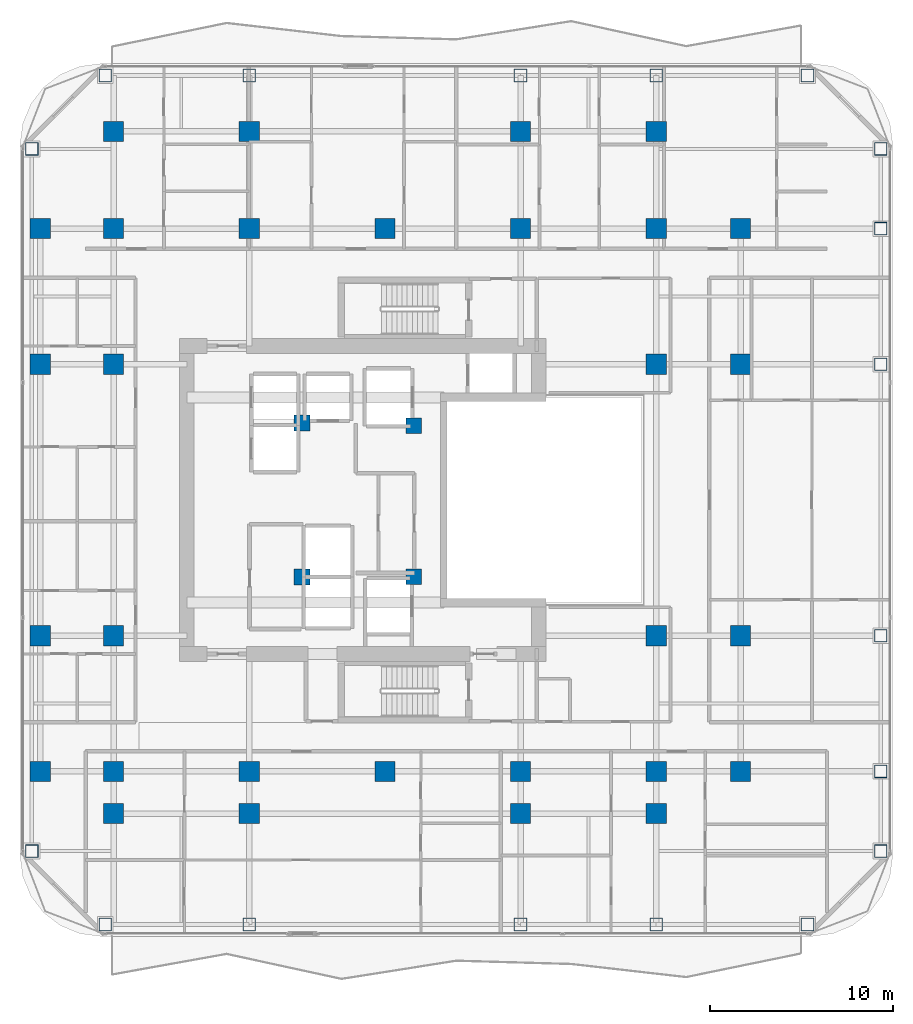
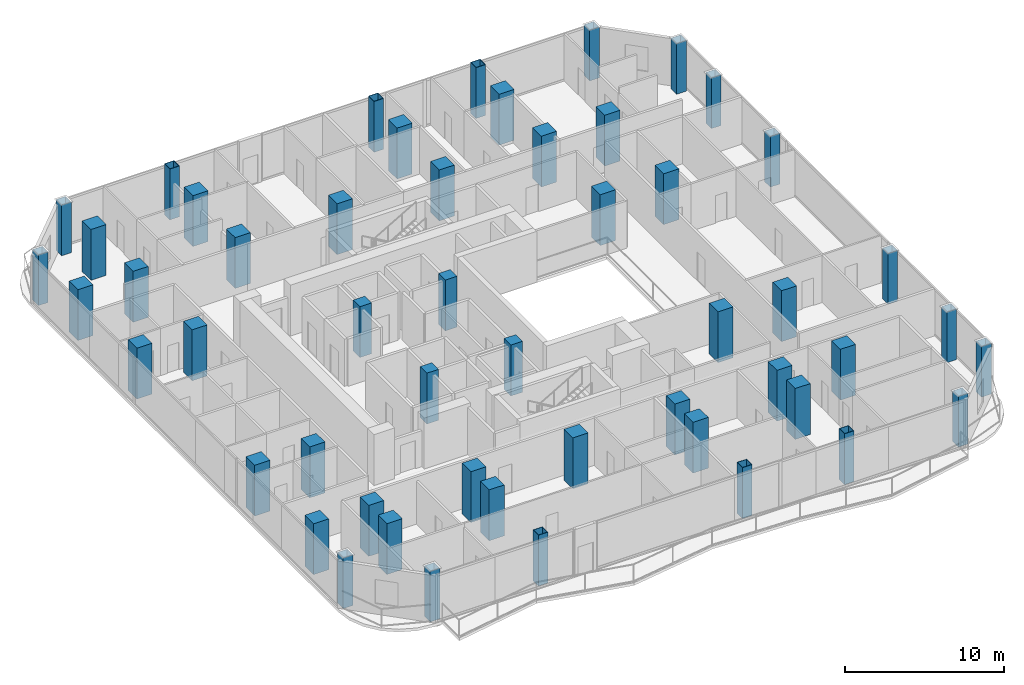
# One storey, part 1 of 27: 52 columns.
"""IFC4 building model written with IfcOpenShell, lengths in metres."""

from ifc_helpers import new_model, si_unit, direction, frame, origin, origin_2d, place, context, subcontext, project, spatial, rectangle, hollow_rectangle, extrude, material, material_profile, profile_set, type_object, element, save


model = new_model("IFC4")

# Units and contexts
model_context = context("Model", 3, precision=1e-05, world=origin(), true_north=direction((0.0, 1.0)))
body_context = subcontext(model_context, "Body", "Model", "MODEL_VIEW")
ifc_project = project(units=[si_unit("LENGTHUNIT", "METRE"), si_unit("AREAUNIT", "SQUARE_METRE"), si_unit("VOLUMEUNIT", "CUBIC_METRE"), si_unit("PLANEANGLEUNIT", "RADIAN"), si_unit("MASSUNIT", "GRAM", prefix="KILO")], contexts=[model_context])

# Site, building, storey
site_placement = place(None, origin())
site = spatial("IfcSite", under=ifc_project, at=site_placement, CompositionType="ELEMENT")
building_placement = place(site_placement, origin())
building = spatial("IfcBuilding", under=site, at=building_placement, Name="Khorvyn Point Tower", CompositionType="ELEMENT")
storey_placement = place(building_placement, frame((0.0, 0.0, 164.10009765625)))
storey = spatial("IfcBuildingStorey", under=building, at=storey_placement, Name="L40", CompositionType="ELEMENT", Elevation=164.10009765625)

# Columns
ifc_material_1 = material(Name="Concrete C40/50", Category="concrete")
ifc_material_profile_1 = material_profile(ifc_material_1, rectangle(XDim=0.85009765625, YDim=0.85009765625, at=origin_2d()))
ifc_profile_set_1 = profile_set([ifc_material_profile_1], Name="Concrete C40/50 RC850x850")
column_type_1 = type_object("IfcColumnType", Name="Concrete C40/50 Column RC850x850", PredefinedType="COLUMN", material=ifc_profile_set_1)
for number, where, z_axis, x_axis, name in (
    (1, (-4.52001953125, -4.199951171875, 0.0), (0.0, 0.0, 1.0), (1.0, 0.0, 0.0), "L40 Crown Core Spine Column 1"),
    (2, (1.580078125, -4.179931640625, 0.0), (0.0, 0.0, 1.0), (1.0, 0.0, 0.0), "L40 Crown Core Spine Column 2"),
    (3, (1.580078125, 4.050048828125, 0.0), (0.0, 0.0, 1.0), (1.0, 0.0, 0.0), "L40 Crown Core Spine Column 3"),
    (4, (-4.52001953125, 4.199951171875, 0.0), (0.0, 0.0, 1.0), (1.0, 0.0, 0.0), "L40 Crown Core Spine Column 4"),
):
    element("IfcColumn", number, at=place(storey_placement, frame(where, z_axis=z_axis, x_axis=x_axis)), inside=storey, type_object=column_type_1, Name=name, PredefinedType="COLUMN", context=body_context, shape_type="SweptSolid", body=[
        extrude(rectangle(XDim=0.85009765625, YDim=0.85009765625, at=origin_2d()), origin(), (0.0, 0.0, 1.0), 3.89990234375),
    ])
ifc_material_2 = material(Name="Concrete C45/55", Category="concrete")
ifc_material_profile_2 = material_profile(ifc_material_2, rectangle(XDim=1.10009765625, YDim=1.10009765625, at=origin_2d()))
ifc_profile_set_2 = profile_set([ifc_material_profile_2], Name="Concrete C45/55 RC1100x1100")
column_type_2 = type_object("IfcColumnType", Name="Concrete C45/55 Column RC1100x1100", PredefinedType="COLUMN", material=ifc_profile_set_2)
for number, where, z_axis, x_axis, name in (
    (5, (-14.800048828125, -14.800048828125, 0.0), (0.0, 0.0, 1.0), (1.0, 0.0, 0.0), "L40 Mega-Column MC-01"),
    (6, (-7.39990234375, -14.800048828125, 0.0), (0.0, 0.0, 1.0), (1.0, 0.0, 0.0), "L40 Mega-Column MC-02"),
    (7, (0.0, -14.800048828125, 0.0), (0.0, 0.0, 1.0), (1.0, 0.0, 0.0), "L40 Mega-Column MC-03"),
    (8, (7.39990234375, -14.800048828125, 0.0), (0.0, 0.0, 1.0), (1.0, 0.0, 0.0), "L40 Mega-Column MC-04"),
    (9, (14.800048828125, -14.800048828125, 0.0), (0.0, 0.0, 1.0), (1.0, 0.0, 0.0), "L40 Mega-Column MC-05"),
    (10, (-14.800048828125, 14.800048828125, 0.0), (0.0, 0.0, 1.0), (1.0, 0.0, 0.0), "L40 Mega-Column MC-06"),
    (11, (-7.39990234375, 14.800048828125, 0.0), (0.0, 0.0, 1.0), (1.0, 0.0, 0.0), "L40 Mega-Column MC-07"),
    (12, (0.0, 14.800048828125, 0.0), (0.0, 0.0, 1.0), (1.0, 0.0, 0.0), "L40 Mega-Column MC-08"),
    (13, (7.39990234375, 14.800048828125, 0.0), (0.0, 0.0, 1.0), (1.0, 0.0, 0.0), "L40 Mega-Column MC-09"),
    (14, (14.800048828125, 14.800048828125, 0.0), (0.0, 0.0, 1.0), (1.0, 0.0, 0.0), "L40 Mega-Column MC-10"),
    (15, (-14.800048828125, -7.39990234375, 0.0), (0.0, 0.0, 1.0), (1.0, 0.0, 0.0), "L40 Mega-Column MC-11"),
    (16, (-14.800048828125, 7.39990234375, 0.0), (0.0, 0.0, 1.0), (1.0, 0.0, 0.0), "L40 Mega-Column MC-12"),
    (17, (14.800048828125, -7.39990234375, 0.0), (0.0, 0.0, 1.0), (1.0, 0.0, 0.0), "L40 Mega-Column MC-13"),
    (18, (14.800048828125, 7.39990234375, 0.0), (0.0, 0.0, 1.0), (1.0, 0.0, 0.0), "L40 Mega-Column MC-14"),
    (19, (-18.800048828125, -14.800048828125, 0.0), (0.0, 0.0, 1.0), (1.0, 0.0, 0.0), "L40 Intermediate Column ICW--14"),
    (20, (-18.800048828125, -7.39990234375, 0.0), (0.0, 0.0, 1.0), (1.0, 0.0, 0.0), "L40 Intermediate Column ICW--7"),
    (21, (-18.800048828125, 7.39990234375, 0.0), (0.0, 0.0, 1.0), (1.0, 0.0, 0.0), "L40 Intermediate Column ICW-7"),
    (22, (-18.800048828125, 14.800048828125, 0.0), (0.0, 0.0, 1.0), (1.0, 0.0, 0.0), "L40 Intermediate Column ICW-14"),
    (23, (19.39990234375, -14.800048828125, 0.0), (0.0, 0.0, 1.0), (1.0, 0.0, 0.0), "L40 Intermediate Column ICE--14"),
    (24, (19.39990234375, -7.39990234375, 0.0), (0.0, 0.0, 1.0), (1.0, 0.0, 0.0), "L40 Intermediate Column ICE--7"),
    (25, (19.39990234375, 7.39990234375, 0.0), (0.0, 0.0, 1.0), (1.0, 0.0, 0.0), "L40 Intermediate Column ICE-7"),
    (26, (19.39990234375, 14.800048828125, 0.0), (0.0, 0.0, 1.0), (1.0, 0.0, 0.0), "L40 Intermediate Column ICE-14"),
    (27, (-14.800048828125, -17.10009765625, 0.0), (0.0, 0.0, 1.0), (1.0, 0.0, 0.0), "L40 Intermediate Column ICS--14"),
    (28, (-7.39990234375, -17.10009765625, 0.0), (0.0, 0.0, 1.0), (1.0, 0.0, 0.0), "L40 Intermediate Column ICS--7"),
    (29, (7.39990234375, -17.10009765625, 0.0), (0.0, 0.0, 1.0), (1.0, 0.0, 0.0), "L40 Intermediate Column ICS-7"),
    (30, (14.800048828125, -17.10009765625, 0.0), (0.0, 0.0, 1.0), (1.0, 0.0, 0.0), "L40 Intermediate Column ICS-14"),
    (31, (-14.800048828125, 20.10009765625, 0.0), (0.0, 0.0, 1.0), (1.0, 0.0, 0.0), "L40 Intermediate Column ICN--14"),
    (32, (-7.39990234375, 20.10009765625, 0.0), (0.0, 0.0, 1.0), (1.0, 0.0, 0.0), "L40 Intermediate Column ICN--7"),
    (33, (7.39990234375, 20.10009765625, 0.0), (0.0, 0.0, 1.0), (1.0, 0.0, 0.0), "L40 Intermediate Column ICN-7"),
    (34, (14.800048828125, 20.10009765625, 0.0), (0.0, 0.0, 1.0), (1.0, 0.0, 0.0), "L40 Intermediate Column ICN-14"),
):
    element("IfcColumn", number, at=place(storey_placement, frame(where, z_axis=z_axis, x_axis=x_axis)), inside=storey, type_object=column_type_2, Name=name, PredefinedType="COLUMN", context=body_context, shape_type="SweptSolid", body=[
        extrude(rectangle(XDim=1.10009765625, YDim=1.10009765625, at=origin_2d()), origin(), (0.0, 0.0, 1.0), 3.89990234375),
    ])
ifc_material_3 = material(Name="Steel S450", Category="steel")
ifc_material_profile_3 = material_profile(ifc_material_3, hollow_rectangle(XDim=0.699951171875, YDim=0.699951171875, WallThickness=0.031982421875, at=origin_2d()))
ifc_profile_set_3 = profile_set([ifc_material_profile_3], Name="Steel S450 BOX700x700x32")
column_type_3 = type_object("IfcColumnType", Name="Steel S450 Structural Column BOX700x700x32", PredefinedType="COLUMN", material=ifc_profile_set_3)
for number, where, z_axis, x_axis, name in (
    (35, (-15.25, -23.14990234375, 0.0), (0.0, 0.0, 1.0), (1.0, 0.0, 0.0), "L40 Perimeter Tube Column TC-01"),
    (36, (23.050048828125, -23.14990234375, 0.0), (0.0, 0.0, 1.0), (1.0, 0.0, 0.0), "L40 Perimeter Tube Column TC-02"),
    (37, (-15.25, 23.14990234375, 0.0), (0.0, 0.0, 1.0), (1.0, 0.0, 0.0), "L40 Perimeter Tube Column TC-03"),
    (38, (23.050048828125, 23.14990234375, 0.0), (0.0, 0.0, 1.0), (1.0, 0.0, 0.0), "L40 Perimeter Tube Column TC-04"),
    (39, (-19.25, -19.14990234375, 0.0), (0.0, 0.0, 1.0), (1.0, 0.0, 0.0), "L40 Perimeter Tube Column TC-05"),
    (40, (-19.25, 19.14990234375, 0.0), (0.0, 0.0, 1.0), (1.0, 0.0, 0.0), "L40 Perimeter Tube Column TC-06"),
    (41, (27.050048828125, -19.14990234375, 0.0), (0.0, 0.0, 1.0), (1.0, 0.0, 0.0), "L40 Perimeter Tube Column TC-07"),
    (42, (27.050048828125, 19.14990234375, 0.0), (0.0, 0.0, 1.0), (1.0, 0.0, 0.0), "L40 Perimeter Tube Column TC-08"),
    (43, (-7.39990234375, -23.14990234375, 0.0), (0.0, 0.0, 1.0), (1.0, 0.0, 0.0), "L40 Perimeter Tube Column TC-09"),
    (44, (-7.39990234375, 23.14990234375, 0.0), (0.0, 0.0, 1.0), (1.0, 0.0, 0.0), "L40 Perimeter Tube Column TC-10"),
    (45, (7.39990234375, -23.14990234375, 0.0), (0.0, 0.0, 1.0), (1.0, 0.0, 0.0), "L40 Perimeter Tube Column TC-11"),
    (46, (7.39990234375, 23.14990234375, 0.0), (0.0, 0.0, 1.0), (1.0, 0.0, 0.0), "L40 Perimeter Tube Column TC-12"),
    (47, (14.800048828125, -23.14990234375, 0.0), (0.0, 0.0, 1.0), (1.0, 0.0, 0.0), "L40 Perimeter Tube Column TC-13"),
    (48, (14.800048828125, 23.14990234375, 0.0), (0.0, 0.0, 1.0), (1.0, 0.0, 0.0), "L40 Perimeter Tube Column TC-14"),
    (49, (27.050048828125, -14.800048828125, 0.0), (0.0, 0.0, 1.0), (1.0, 0.0, 0.0), "L40 Perimeter Tube Column TC-15"),
    (50, (27.050048828125, -7.39990234375, 0.0), (0.0, 0.0, 1.0), (1.0, 0.0, 0.0), "L40 Perimeter Tube Column TC-16"),
    (51, (27.050048828125, 7.39990234375, 0.0), (0.0, 0.0, 1.0), (1.0, 0.0, 0.0), "L40 Perimeter Tube Column TC-17"),
    (52, (27.050048828125, 14.800048828125, 0.0), (0.0, 0.0, 1.0), (1.0, 0.0, 0.0), "L40 Perimeter Tube Column TC-18"),
):
    element("IfcColumn", number, at=place(storey_placement, frame(where, z_axis=z_axis, x_axis=x_axis)), inside=storey, type_object=column_type_3, Name=name, PredefinedType="COLUMN", context=body_context, shape_type="SweptSolid", body=[
        extrude(hollow_rectangle(XDim=0.699951171875, YDim=0.699951171875, WallThickness=0.031982421875, at=origin_2d()), origin(), (0.0, 0.0, 1.0), 3.89990234375),
    ])

save(model, "model.ifc")
